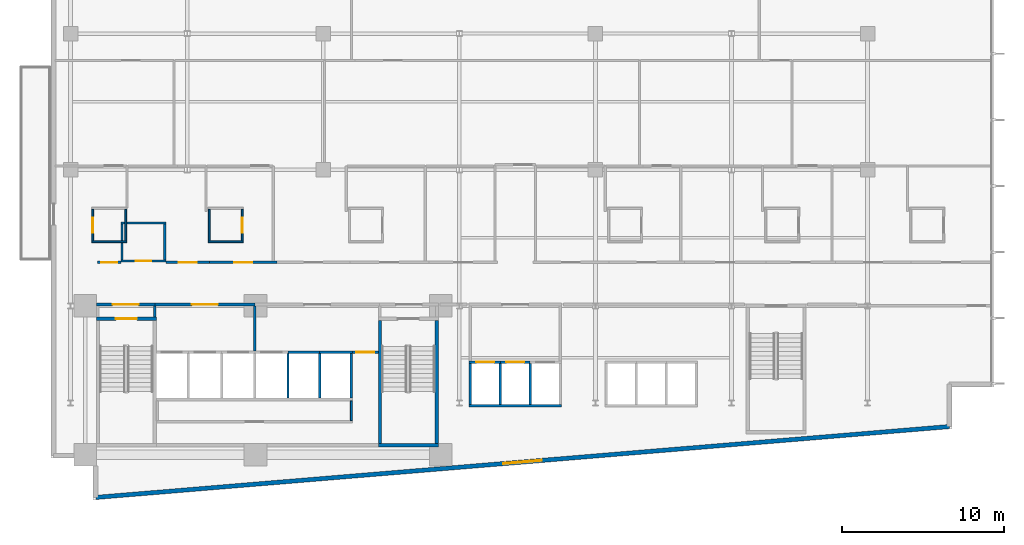
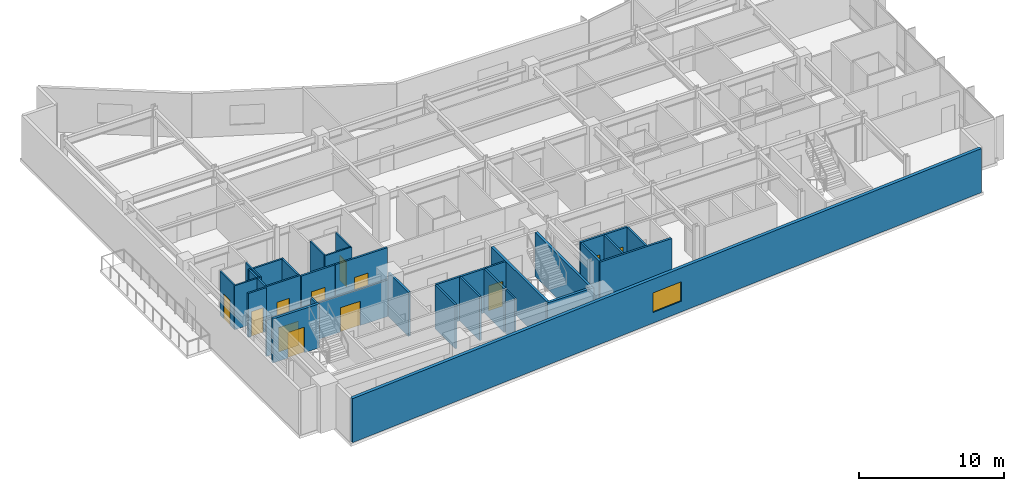
# One storey, part 12 of 20: 35 walls, 12 doors, 1 window, 13 openings.
"""IFC4 building model written with IfcOpenShell, lengths in metres."""

from ifc_helpers import new_model, si_unit, direction, frame, frame_2d, origin, place, context, subcontext, project, spatial, rectangle, extrude, material, layer, layer_set, type_object, element, fill, save


model = new_model("IFC4")

# Units and contexts
model_context = context("Model", 3, precision=1e-05, world=origin(), true_north=direction((0.0, 1.0)))
body_context = subcontext(model_context, "Body", "Model", "MODEL_VIEW")
ifc_project = project(units=[si_unit("LENGTHUNIT", "METRE"), si_unit("AREAUNIT", "SQUARE_METRE"), si_unit("VOLUMEUNIT", "CUBIC_METRE"), si_unit("PLANEANGLEUNIT", "RADIAN"), si_unit("MASSUNIT", "GRAM", prefix="KILO")], contexts=[model_context])

# Site, building, storey
site_placement = place(None, origin())
site = spatial("IfcSite", under=ifc_project, at=site_placement, CompositionType="ELEMENT")
building_placement = place(site_placement, origin())
building = spatial("IfcBuilding", under=site, at=building_placement, Name="Varnakote Quay Hospital", CompositionType="ELEMENT")
storey_placement = place(building_placement, frame((0.0, 0.0, 26.449951171875)))
storey = spatial("IfcBuildingStorey", under=building, at=storey_placement, Name="L06", CompositionType="ELEMENT", Elevation=26.449951171875)

# Wall, opening, door
ifc_material_1 = material(Name="Fire-rated acoustic gypsum stud wall", Category="gypsum")
ifc_layer_1 = layer(ifc_material_1, 0.159912109375)
ifc_layer_set_1 = layer_set([ifc_layer_1], Name="Fire-rated acoustic gypsum stud wall")
wall_type_1 = type_object("IfcWallType", Name="WL-COMP-160", PredefinedType="PARTITIONING", material=ifc_layer_set_1)
wall_1_placement = place(storey_placement, frame((2.800048828125, 12.080078125, 0.0), z_axis=(0.0, 0.0, 1.0), x_axis=(1.0, 0.0, 0.0)))
wall_1 = element("IfcWall", 1, at=wall_1_placement, inside=storey, type_object=wall_type_1, Name="L06 West Stair Vestibule Smoke Wall", PredefinedType="PARTITIONING", context=body_context, shape_type="SweptSolid", body=[
    extrude(rectangle(XDim=3.599853515625, YDim=0.159912109375, at=frame_2d((1.7998046875, 0.0))), origin(), (0.0, 0.0, 1.0), 3.072998046875),
])
opening_1_placement = place(wall_1_placement, frame((1.0, 0.0, 0.0)))
opening_1 = element("IfcOpeningElement", 2, at=opening_1_placement, cuts=wall_1, Name="Opening D-ST1L-L06", PredefinedType="OPENING", context=body_context, shape_type="SweptSolid", body=[
    extrude(rectangle(XDim=1.60009765625, YDim=2.050048828125, at=frame_2d((0.800048828125, 1.02490234375))), frame((0.0, 0.08984375, 0.0), z_axis=(0.0, -1.0, 0.0), x_axis=(1.0, 0.0, 0.0)), (0.0, 0.0, 1.0), 0.179931640625),
])
ifc_material_2 = material(Name="Fire-rated double smoke lobby door")
door_type_1 = type_object("IfcDoorType", Name="DR-LOBBY-FD60S-1600x2150", OperationType="NOTDEFINED", PredefinedType="DOOR", material=ifc_material_2)
door_1_placement = place(opening_1_placement, origin())
door_1 = element("IfcDoor", 3, at=door_1_placement, inside=storey, type_object=door_type_1, Name="L06 West Stair Vestibule Smoke Door", OperationType="DOUBLE_DOOR_SINGLE_SWING", OverallHeight=2.050048828125, OverallWidth=1.60009765625, PredefinedType="DOOR", context=body_context, shape_type="SweptSolid", body=[
    extrude(rectangle(XDim=1.60009765625, YDim=2.050048828125, at=frame_2d((0.800048828125, 1.02490234375))), frame((0.0, 0.02490234375, 0.0), z_axis=(0.0, -1.0, 0.0), x_axis=(1.0, 0.0, 0.0)), (0.0, 0.0, 1.0), 0.050048828125),
])
fill(opening_1, door_1)

# Wall
wall_2_placement = place(storey_placement, frame((6.39990234375, 11.300048828125, 0.0), z_axis=(0.0, 0.0, 1.0), x_axis=(0.0, 1.0, 0.0)))
element("IfcWall", 4, at=wall_2_placement, inside=storey, type_object=wall_type_1, Name="L06 Firefighting Lobby West Wall", PredefinedType="PARTITIONING", context=body_context, shape_type="SweptSolid", body=[
    extrude(rectangle(XDim=0.699951171875, YDim=0.159912109375, at=frame_2d((0.35009765625, 0.0))), origin(), (0.0, 0.0, 1.0), 3.7099609375),
])

# Wall, opening, door
wall_3_placement = place(storey_placement, frame((6.39990234375, 12.080078125, 0.0), z_axis=(0.0, 0.0, 1.0), x_axis=(1.0, 0.0, 0.0)))
wall_3 = element("IfcWall", 5, at=wall_3_placement, inside=storey, type_object=wall_type_1, Name="L06 Firefighting Lift Lobby Compartment Wall", PredefinedType="PARTITIONING", context=body_context, shape_type="SweptSolid", body=[
    extrude(rectangle(XDim=6.18017578125, YDim=0.159912109375, at=frame_2d((3.090087890625, 0.0))), origin(), (0.0, 0.0, 1.0), 3.072998046875),
])
opening_2_placement = place(wall_3_placement, frame((2.2900390625, 0.0, 0.0)))
opening_2 = element("IfcOpeningElement", 6, at=opening_2_placement, cuts=wall_3, Name="Opening D-FFL-L06", PredefinedType="OPENING", context=body_context, shape_type="SweptSolid", body=[
    extrude(rectangle(XDim=1.60009765625, YDim=2.050048828125, at=frame_2d((0.800048828125, 1.02490234375))), frame((0.0, 0.08984375, 0.0), z_axis=(0.0, -1.0, 0.0), x_axis=(1.0, 0.0, 0.0)), (0.0, 0.0, 1.0), 0.179931640625),
])
door_2_placement = place(opening_2_placement, origin())
door_2 = element("IfcDoor", 7, at=door_2_placement, inside=storey, type_object=door_type_1, Name="L06 Firefighting Smoke Vestibule Door", OperationType="DOUBLE_DOOR_SINGLE_SWING", OverallHeight=2.050048828125, OverallWidth=1.60009765625, PredefinedType="DOOR", context=body_context, shape_type="SweptSolid", body=[
    extrude(rectangle(XDim=1.60009765625, YDim=2.050048828125, at=frame_2d((0.800048828125, 1.02490234375))), frame((0.0, 0.02490234375, 0.0), z_axis=(0.0, -1.0, 0.0), x_axis=(1.0, 0.0, 0.0)), (0.0, 0.0, 1.0), 0.050048828125),
])
fill(opening_2, door_2)

# Walls
wall_4_placement = place(storey_placement, frame((12.580078125, 9.2099609375, 0.0), z_axis=(0.0, 0.0, 1.0), x_axis=(0.0, 1.0, 0.0)))
element("IfcWall", 8, at=wall_4_placement, inside=storey, type_object=wall_type_1, Name="L06 Firefighting to Service Lobby Wall", PredefinedType="PARTITIONING", context=body_context, shape_type="SweptSolid", body=[
    extrude(rectangle(XDim=2.7900390625, YDim=0.159912109375, at=frame_2d((1.39501953125, 0.0))), origin(), (0.0, 0.0, 1.0), 3.7099609375),
])
ifc_material_3 = material(Name="Moisture-resistant bathroom partition", Category="gypsum")
ifc_layer_2 = layer(ifc_material_3, 0.114990234375)
ifc_layer_set_2 = layer_set([ifc_layer_2], Name="Moisture-resistant bathroom partition")
wall_type_2 = type_object("IfcWallType", Name="WL-ENS-115", PredefinedType="PARTITIONING", material=ifc_layer_set_2)
wall_5_placement = place(storey_placement, frame((2.514892578125, 15.952392578125, 0.0), z_axis=(0.0, 0.0, 1.0), x_axis=(1.0, 0.0, 0.0)))
element("IfcWall", 9, at=wall_5_placement, inside=storey, type_object=wall_type_2, Name="L06 Inpatient En-Suite Bathroom 01 S Wall", PredefinedType="PARTITIONING", context=body_context, shape_type="SweptSolid", body=[
    extrude(rectangle(XDim=2.150146484375, YDim=0.114990234375, at=frame_2d((1.0751953125, 0.0))), origin(), (0.0, 0.0, 1.0), 3.7099609375),
])

# Wall, opening, door
wall_6_placement = place(storey_placement, frame((2.572509765625, 16.010009765625, 0.0), z_axis=(0.0, 0.0, 1.0), x_axis=(0.0, 1.0, 0.0)))
wall_6 = element("IfcWall", 10, at=wall_6_placement, inside=storey, type_object=wall_type_2, Name="L06 Inpatient En-Suite Bathroom 01 W Wall", PredefinedType="PARTITIONING", context=body_context, shape_type="SweptSolid", body=[
    extrude(rectangle(XDim=1.949951171875, YDim=0.114990234375, at=frame_2d((0.97509765625, 0.0))), origin(), (0.0, 0.0, 1.0), 3.7099609375),
])
opening_3_placement = place(wall_6_placement, frame((0.514892578125, 0.0, 0.0)))
opening_3 = element("IfcOpeningElement", 11, at=opening_3_placement, cuts=wall_6, Name="Opening D-L06-ENS01", PredefinedType="OPENING", context=body_context, shape_type="SweptSolid", body=[
    extrude(rectangle(XDim=0.919921875, YDim=2.10009765625, at=frame_2d((0.4599609375, 1.050048828125))), frame((0.0, 0.0673828125, 0.0), z_axis=(0.0, -1.0, 0.0), x_axis=(1.0, 0.0, 0.0)), (0.0, 0.0, 1.0), 0.135009765625),
])
ifc_material_4 = material(Name="Moisture-sealed en-suite bathroom door")
door_type_2 = type_object("IfcDoorType", Name="DR-ENS-920x2100", OperationType="NOTDEFINED", PredefinedType="DOOR", material=ifc_material_4)
door_3_placement = place(opening_3_placement, origin())
door_3 = element("IfcDoor", 12, at=door_3_placement, inside=storey, type_object=door_type_2, Name="L06 Inpatient En-Suite Bathroom 01 Door", OperationType="SINGLE_SWING_RIGHT", OverallHeight=2.10009765625, OverallWidth=0.919921875, PredefinedType="DOOR", context=body_context, shape_type="SweptSolid", body=[
    extrude(rectangle(XDim=0.919921875, YDim=2.10009765625, at=frame_2d((0.4599609375, 1.050048828125))), frame((0.0, 0.02490234375, 0.0), z_axis=(0.0, -1.0, 0.0), x_axis=(1.0, 0.0, 0.0)), (0.0, 0.0, 1.0), 0.050048828125),
])
fill(opening_3, door_3)

# Walls
wall_7_placement = place(storey_placement, frame((4.607421875, 16.010009765625, 0.0), z_axis=(0.0, 0.0, 1.0), x_axis=(0.0, 1.0, 0.0)))
element("IfcWall", 13, at=wall_7_placement, inside=storey, type_object=wall_type_2, Name="L06 Inpatient En-Suite Bathroom 01 E Wall", PredefinedType="PARTITIONING", context=body_context, shape_type="SweptSolid", body=[
    extrude(rectangle(XDim=1.949951171875, YDim=0.114990234375, at=frame_2d((0.97509765625, 0.0))), origin(), (0.0, 0.0, 1.0), 3.7099609375),
])
wall_8_placement = place(storey_placement, frame((9.705078125, 15.952392578125, 0.0), z_axis=(0.0, 0.0, 1.0), x_axis=(1.0, 0.0, 0.0)))
element("IfcWall", 14, at=wall_8_placement, inside=storey, type_object=wall_type_2, Name="L06 Inpatient En-Suite Bathroom 02 S Wall", PredefinedType="PARTITIONING", context=body_context, shape_type="SweptSolid", body=[
    extrude(rectangle(XDim=2.14990234375, YDim=0.114990234375, at=frame_2d((1.074951171875, 0.0))), origin(), (0.0, 0.0, 1.0), 3.7099609375),
])
wall_9_placement = place(storey_placement, frame((9.762451171875, 16.010009765625, 0.0), z_axis=(0.0, 0.0, 1.0), x_axis=(0.0, 1.0, 0.0)))
element("IfcWall", 15, at=wall_9_placement, inside=storey, type_object=wall_type_2, Name="L06 Inpatient En-Suite Bathroom 02 W Wall", PredefinedType="PARTITIONING", context=body_context, shape_type="SweptSolid", body=[
    extrude(rectangle(XDim=1.949951171875, YDim=0.114990234375, at=frame_2d((0.97509765625, 0.0))), origin(), (0.0, 0.0, 1.0), 3.7099609375),
])

# Wall, opening, door
wall_10_placement = place(storey_placement, frame((11.797607421875, 16.010009765625, 0.0), z_axis=(0.0, 0.0, 1.0), x_axis=(0.0, 1.0, 0.0)))
wall_10 = element("IfcWall", 16, at=wall_10_placement, inside=storey, type_object=wall_type_2, Name="L06 Inpatient En-Suite Bathroom 02 E Wall", PredefinedType="PARTITIONING", context=body_context, shape_type="SweptSolid", body=[
    extrude(rectangle(XDim=1.949951171875, YDim=0.114990234375, at=frame_2d((0.97509765625, 0.0))), origin(), (0.0, 0.0, 1.0), 3.7099609375),
])
opening_4_placement = place(wall_10_placement, frame((0.514892578125, 0.0, 0.0)))
opening_4 = element("IfcOpeningElement", 17, at=opening_4_placement, cuts=wall_10, Name="Opening D-L06-ENS02", PredefinedType="OPENING", context=body_context, shape_type="SweptSolid", body=[
    extrude(rectangle(XDim=0.919921875, YDim=2.10009765625, at=frame_2d((0.4599609375, 1.050048828125))), frame((0.0, 0.0673828125, 0.0), z_axis=(0.0, -1.0, 0.0), x_axis=(1.0, 0.0, 0.0)), (0.0, 0.0, 1.0), 0.135009765625),
])
door_4_placement = place(opening_4_placement, origin())
door_4 = element("IfcDoor", 18, at=door_4_placement, inside=storey, type_object=door_type_2, Name="L06 Inpatient En-Suite Bathroom 02 Door", OperationType="SINGLE_SWING_LEFT", OverallHeight=2.10009765625, OverallWidth=0.919921875, PredefinedType="DOOR", context=body_context, shape_type="SweptSolid", body=[
    extrude(rectangle(XDim=0.919921875, YDim=2.10009765625, at=frame_2d((0.4599609375, 1.050048828125))), frame((0.0, 0.02490234375, 0.0), z_axis=(0.0, -1.0, 0.0), x_axis=(1.0, 0.0, 0.0)), (0.0, 0.0, 1.0), 0.050048828125),
])
fill(opening_4, door_4)

# Wall, opening, window
ifc_material_5 = material(Name="Precast concrete N50 (f'c 50 MPa)", Category="concrete")
ifc_layer_3 = layer(ifc_material_5, 0.260009765625)
ifc_layer_set_3 = layer_set([ifc_layer_3], Name="Precast concrete N50 (f'c 50 MPa)")
wall_type_3 = type_object("IfcWallType", Name="WL-EXT-BRICK-260", PredefinedType="STANDARD", material=ifc_layer_set_3)
wall_11_placement = place(storey_placement, frame((2.760009765625, 0.173828125, 0.0), z_axis=(0.0, 0.0, 1.0), x_axis=(0.996571478456, 0.082736257641, 0.0)))
wall_11 = element("IfcWall", 19, at=wall_11_placement, inside=storey, type_object=wall_type_3, Name="L06 Brick-Faced Precast Exterior Wall", PredefinedType="STANDARD", context=body_context, shape_type="SweptSolid", body=[
    extrude(rectangle(XDim=52.861083984375, YDim=0.260009765625, at=frame_2d((26.4306640625, 0.0))), origin(), (0.0, 0.0, 1.0), 3.7099609375),
])
opening_5_placement = place(wall_11_placement, frame((25.230712890625, 0.0, 0.89990234375)))
opening_5 = element("IfcOpeningElement", 20, at=opening_5_placement, cuts=wall_11, Name="Opening WN-0038", PredefinedType="OPENING", context=body_context, shape_type="SweptSolid", body=[
    extrude(rectangle(XDim=2.39990234375, YDim=1.64990234375, at=frame_2d((1.199951171875, 0.824951171875))), frame((0.0, 0.139892578125, 0.0), z_axis=(0.0, -1.0, 0.0), x_axis=(1.0, 0.0, 0.0)), (0.0, 0.0, 1.0), 0.280029296875),
])
ifc_material_6 = material(Name="Double-glazed low-E solar glass", Category="glass")
window_type = type_object("IfcWindowType", Name="WIN-CLIN-2400x1650", PartitioningType="SINGLE_PANEL", PredefinedType="WINDOW", material=ifc_material_6)
window_placement = place(opening_5_placement, origin())
window = element("IfcWindow", 21, at=window_placement, inside=storey, type_object=window_type, Name="L06 Solar-Control Clinical Window", OverallHeight=1.64990234375, OverallWidth=2.39990234375, PartitioningType="SINGLE_PANEL", PredefinedType="WINDOW", context=body_context, shape_type="SweptSolid", body=[
    extrude(rectangle(XDim=2.39990234375, YDim=1.64990234375, at=frame_2d((1.199951171875, 0.824951171875))), frame((0.0, 0.030029296875, 0.0), z_axis=(0.0, -1.0, 0.0), x_axis=(1.0, 0.0, 0.0)), (0.0, 0.0, 1.0), 0.06005859375),
])
fill(opening_5, window)

# Walls
ifc_material_7 = material(Name="Concrete N50 (f'c 50 MPa)", Category="concrete")
ifc_layer_4 = layer(ifc_material_7, 0.14990234375)
ifc_layer_set_4 = layer_set([ifc_layer_4], Name="Concrete N50 (f'c 50 MPa)")
wall_type_4 = type_object("IfcWallType", Name="WL-SHAFT-N50-150", PredefinedType="SHEAR", material=ifc_layer_set_4)
for number, where, z_axis, x_axis, name in (
    (22, (14.625, 6.300048828125, 0.0), (0.0, 0.0, 1.0), (0.0, 1.0, 0.0), "L06 LF-SV2 Hoistway Divider Wall"),
    (23, (16.574951171875, 6.300048828125, 0.0), (0.0, 0.0, 1.0), (0.0, 1.0, 0.0), "L06 LF-PH1 Hoistway Divider Wall"),
):
    element("IfcWall", number, at=place(storey_placement, frame(where, z_axis=z_axis, x_axis=x_axis)), inside=storey, type_object=wall_type_4, Name=name, PredefinedType="SHEAR", context=body_context, shape_type="SweptSolid", body=[
        extrude(rectangle(XDim=2.75, YDim=0.14990234375, at=frame_2d((1.375, 0.0))), origin(), (0.0, 0.0, 1.0), 3.7099609375),
    ])
for number, where, z_axis, x_axis, name in (
    (24, (27.72509765625, 5.89990234375, 0.0), (0.0, 0.0, 1.0), (0.0, 1.0, 0.0), "L06 LF-PL1 Hoistway Divider Wall"),
    (25, (29.574951171875, 5.89990234375, 0.0), (0.0, 0.0, 1.0), (0.0, 1.0, 0.0), "L06 LF-PL2 Hoistway Divider Wall"),
):
    element("IfcWall", number, at=place(storey_placement, frame(where, z_axis=z_axis, x_axis=x_axis)), inside=storey, type_object=wall_type_4, Name=name, PredefinedType="SHEAR", context=body_context, shape_type="SweptSolid", body=[
        extrude(rectangle(XDim=2.550048828125, YDim=0.14990234375, at=frame_2d((1.27490234375, 0.0))), origin(), (0.0, 0.0, 1.0), 3.7099609375),
    ])
ifc_material_8 = material(Name="Concrete N50 (f'c 50 MPa)", Category="concrete")
ifc_layer_5 = layer(ifc_material_8, 0.159912109375)
ifc_layer_set_5 = layer_set([ifc_layer_5], Name="Concrete N50 (f'c 50 MPa)")
wall_type_5 = type_object("IfcWallType", Name="WL-SHAFT-N50-160", PredefinedType="SHEAR", material=ifc_layer_set_5)
wall_12_placement = place(storey_placement, frame((18.530029296875, 6.300048828125, 0.0), z_axis=(0.0, 0.0, 1.0), x_axis=(0.0, 1.0, 0.0)))
element("IfcWall", 26, at=wall_12_placement, inside=storey, type_object=wall_type_5, Name="L06 REAR Lift Bank East Shear Wall", PredefinedType="SHEAR", context=body_context, shape_type="SweptSolid", body=[
    extrude(rectangle(XDim=2.75, YDim=0.159912109375, at=frame_2d((1.375, 0.0))), origin(), (0.0, 0.0, 1.0), 3.7099609375),
])
wall_13_placement = place(storey_placement, frame((14.625, 9.1298828125, 0.0), z_axis=(0.0, 0.0, 1.0), x_axis=(1.0, 0.0, 0.0)))
element("IfcWall", 27, at=wall_13_placement, inside=storey, type_object=wall_type_5, Name="L06 LF-PH1 Hoistway Front Wall", PredefinedType="SHEAR", context=body_context, shape_type="SweptSolid", body=[
    extrude(rectangle(XDim=1.949951171875, YDim=0.159912109375, at=frame_2d((0.97509765625, 0.0))), origin(), (0.0, 0.0, 1.0), 3.7099609375),
])
wall_14_placement = place(storey_placement, frame((16.574951171875, 9.1298828125, 0.0), z_axis=(0.0, 0.0, 1.0), x_axis=(1.0, 0.0, 0.0)))
element("IfcWall", 28, at=wall_14_placement, inside=storey, type_object=wall_type_5, Name="L06 LF-PH2 Hoistway Front Wall", PredefinedType="SHEAR", context=body_context, shape_type="SweptSolid", body=[
    extrude(rectangle(XDim=2.03515625, YDim=0.159912109375, at=frame_2d((1.017578125, 0.0))), origin(), (0.0, 0.0, 1.0), 3.7099609375),
])
wall_15_placement = place(storey_placement, frame((25.7900390625, 5.820068359375, 0.0), z_axis=(0.0, 0.0, 1.0), x_axis=(1.0, 0.0, 0.0)))
element("IfcWall", 29, at=wall_15_placement, inside=storey, type_object=wall_type_5, Name="L06 LOW Lift Bank Back Shear Wall", PredefinedType="SHEAR", context=body_context, shape_type="SweptSolid", body=[
    extrude(rectangle(XDim=5.719970703125, YDim=0.159912109375, at=frame_2d((2.85986328125, 0.0))), origin(), (0.0, 0.0, 1.0), 3.7099609375),
])
wall_16_placement = place(storey_placement, frame((25.8701171875, 5.89990234375, 0.0), z_axis=(0.0, 0.0, 1.0), x_axis=(0.0, 1.0, 0.0)))
element("IfcWall", 30, at=wall_16_placement, inside=storey, type_object=wall_type_5, Name="L06 LOW Lift Bank West Shear Wall", PredefinedType="SHEAR", context=body_context, shape_type="SweptSolid", body=[
    extrude(rectangle(XDim=2.550048828125, YDim=0.159912109375, at=frame_2d((1.27490234375, 0.0))), origin(), (0.0, 0.0, 1.0), 3.7099609375),
])

# Wall, opening, door
wall_17_placement = place(storey_placement, frame((25.7900390625, 8.530029296875, 0.0), z_axis=(0.0, 0.0, 1.0), x_axis=(1.0, 0.0, 0.0)))
wall_17 = element("IfcWall", 31, at=wall_17_placement, inside=storey, type_object=wall_type_5, Name="L06 LF-PL1 Hoistway Front Wall", PredefinedType="SHEAR", context=body_context, shape_type="SweptSolid", body=[
    extrude(rectangle(XDim=1.93505859375, YDim=0.159912109375, at=frame_2d((0.967529296875, 0.0))), origin(), (0.0, 0.0, 1.0), 3.7099609375),
])
opening_6_placement = place(wall_17_placement, frame((0.4599609375, 0.0, 0.0)))
opening_6 = element("IfcOpeningElement", 32, at=opening_6_placement, cuts=wall_17, Name="Opening LD-PL1-L06", PredefinedType="OPENING", context=body_context, shape_type="SweptSolid", body=[
    extrude(rectangle(XDim=1.10009765625, YDim=2.14990234375, at=frame_2d((0.550048828125, 1.074951171875))), frame((0.0, 0.08984375, 0.0), z_axis=(0.0, -1.0, 0.0), x_axis=(1.0, 0.0, 0.0)), (0.0, 0.0, 1.0), 0.179931640625),
])
ifc_material_9 = material(Name="Brushed bronze lift landing sliding door")
door_type_3 = type_object("IfcDoorType", Name="DR-LIFT-LD-1100x2150", OperationType="NOTDEFINED", PredefinedType="DOOR", material=ifc_material_9)
door_5_placement = place(opening_6_placement, origin())
door_5 = element("IfcDoor", 33, at=door_5_placement, inside=storey, type_object=door_type_3, Name="L06 LF-PL1 Lift Landing Sliding Door", OperationType="SLIDING_TO_LEFT", OverallHeight=2.14990234375, OverallWidth=1.10009765625, PredefinedType="DOOR", context=body_context, shape_type="SweptSolid", body=[
    extrude(rectangle(XDim=1.10009765625, YDim=2.14990234375, at=frame_2d((0.550048828125, 1.074951171875))), frame((0.0, 0.02490234375, 0.0), z_axis=(0.0, -1.0, 0.0), x_axis=(1.0, 0.0, 0.0)), (0.0, 0.0, 1.0), 0.050048828125),
])
fill(opening_6, door_5)

wall_18_placement = place(storey_placement, frame((27.72509765625, 8.530029296875, 0.0), z_axis=(0.0, 0.0, 1.0), x_axis=(1.0, 0.0, 0.0)))
wall_18 = element("IfcWall", 34, at=wall_18_placement, inside=storey, type_object=wall_type_5, Name="L06 LF-PL2 Hoistway Front Wall", PredefinedType="SHEAR", context=body_context, shape_type="SweptSolid", body=[
    extrude(rectangle(XDim=1.849853515625, YDim=0.159912109375, at=frame_2d((0.9248046875, 0.0))), origin(), (0.0, 0.0, 1.0), 3.7099609375),
])
opening_7_placement = place(wall_18_placement, frame((0.375, 0.0, 0.0)))
opening_7 = element("IfcOpeningElement", 35, at=opening_7_placement, cuts=wall_18, Name="Opening LD-PL2-L06", PredefinedType="OPENING", context=body_context, shape_type="SweptSolid", body=[
    extrude(rectangle(XDim=1.10009765625, YDim=2.14990234375, at=frame_2d((0.550048828125, 1.074951171875))), frame((0.0, 0.08984375, 0.0), z_axis=(0.0, -1.0, 0.0), x_axis=(1.0, 0.0, 0.0)), (0.0, 0.0, 1.0), 0.179931640625),
])
door_6_placement = place(opening_7_placement, origin())
door_6 = element("IfcDoor", 36, at=door_6_placement, inside=storey, type_object=door_type_3, Name="L06 LF-PL2 Lift Landing Sliding Door", OperationType="SLIDING_TO_LEFT", OverallHeight=2.14990234375, OverallWidth=1.10009765625, PredefinedType="DOOR", context=body_context, shape_type="SweptSolid", body=[
    extrude(rectangle(XDim=1.10009765625, YDim=2.14990234375, at=frame_2d((0.550048828125, 1.074951171875))), frame((0.0, 0.02490234375, 0.0), z_axis=(0.0, -1.0, 0.0), x_axis=(1.0, 0.0, 0.0)), (0.0, 0.0, 1.0), 0.050048828125),
])
fill(opening_7, door_6)

ifc_material_10 = material(Name="Concrete N50 (f'c 50 MPa)", Category="concrete")
ifc_layer_6 = layer(ifc_material_10, 0.199951171875)
ifc_layer_set_6 = layer_set([ifc_layer_6], Name="Concrete N50 (f'c 50 MPa)")
wall_type_6 = type_object("IfcWallType", Name="WL-SHAFT-N50-200", PredefinedType="SHEAR", material=ifc_layer_set_6)
wall_19_placement = place(storey_placement, frame((2.800048828125, 11.199951171875, 0.0), z_axis=(0.0, 0.0, 1.0), x_axis=(1.0, 0.0, 0.0)))
wall_19 = element("IfcWall", 37, at=wall_19_placement, inside=storey, type_object=wall_type_6, Name="L06 Stair ST1 Exit Wall", PredefinedType="SHEAR", context=body_context, shape_type="SweptSolid", body=[
    extrude(rectangle(XDim=3.699951171875, YDim=0.199951171875, at=frame_2d((1.85009765625, 0.0))), origin(), (0.0, 0.0, 1.0), 3.7099609375),
])
opening_8_placement = place(wall_19_placement, frame((1.199951171875, 0.0, 0.0)))
opening_8 = element("IfcOpeningElement", 38, at=opening_8_placement, cuts=wall_19, Name="Opening D-ST1-L06", PredefinedType="OPENING", context=body_context, shape_type="SweptSolid", body=[
    extrude(rectangle(XDim=1.300048828125, YDim=2.14990234375, at=frame_2d((0.64990234375, 1.074951171875))), frame((0.0, 0.10986328125, 0.0), z_axis=(0.0, -1.0, 0.0), x_axis=(1.0, 0.0, 0.0)), (0.0, 0.0, 1.0), 0.219970703125),
])
ifc_material_11 = material(Name="Fire-rated ceramic-glazed timber exit door", Category="wood")
door_type_4 = type_object("IfcDoorType", Name="DR-STAIR-FD60S-1300x2150", OperationType="NOTDEFINED", PredefinedType="DOOR", material=ifc_material_11)
door_7_placement = place(opening_8_placement, origin())
door_7 = element("IfcDoor", 39, at=door_7_placement, inside=storey, type_object=door_type_4, Name="L06 Stair ST1 Fire Exit Door", OperationType="SINGLE_SWING_RIGHT", OverallHeight=2.14990234375, OverallWidth=1.300048828125, PredefinedType="DOOR", context=body_context, shape_type="SweptSolid", body=[
    extrude(rectangle(XDim=1.300048828125, YDim=2.14990234375, at=frame_2d((0.64990234375, 1.074951171875))), frame((0.0, 0.02490234375, 0.0), z_axis=(0.0, -1.0, 0.0), x_axis=(1.0, 0.0, 0.0)), (0.0, 0.0, 1.0), 0.050048828125),
])
fill(opening_8, door_7)

# Walls
wall_20_placement = place(storey_placement, frame((20.199951171875, 3.39990234375, 0.0), z_axis=(0.0, 0.0, 1.0), x_axis=(1.0, 0.0, 0.0)))
element("IfcWall", 40, at=wall_20_placement, inside=storey, type_object=wall_type_6, Name="L06 Stair ST2 South Shaft Wall", PredefinedType="SHEAR", context=body_context, shape_type="SweptSolid", body=[
    extrude(rectangle(XDim=3.699951171875, YDim=0.199951171875, at=frame_2d((1.85009765625, 0.0))), origin(), (0.0, 0.0, 1.0), 3.7099609375),
])
for number, where, z_axis, x_axis, name in (
    (41, (20.300048828125, 3.5, 0.0), (0.0, 0.0, 1.0), (0.0, 1.0, 0.0), "L06 Stair ST2 West Shaft Wall"),
    (42, (23.800048828125, 3.5, 0.0), (0.0, 0.0, 1.0), (0.0, 1.0, 0.0), "L06 Stair ST2 East Shaft Wall"),
):
    element("IfcWall", number, at=place(storey_placement, frame(where, z_axis=z_axis, x_axis=x_axis)), inside=storey, type_object=wall_type_6, Name=name, PredefinedType="SHEAR", context=body_context, shape_type="SweptSolid", body=[
        extrude(rectangle(XDim=7.60009765625, YDim=0.199951171875, at=frame_2d((3.800048828125, 0.0))), origin(), (0.0, 0.0, 1.0), 3.7099609375),
    ])
ifc_material_12 = material(Name="Smoke-proof clinical partition", Category="gypsum")
ifc_layer_7 = layer(ifc_material_12, 0.1201171875)
ifc_layer_set_7 = layer_set([ifc_layer_7], Name="Smoke-proof clinical partition")
wall_type_7 = type_object("IfcWallType", Name="WL-SMOKE-120", PredefinedType="PARTITIONING", material=ifc_layer_set_7)
wall_21_placement = place(storey_placement, frame((18.5400390625, 4.919921875, 0.0), z_axis=(0.0, 0.0, 1.0), x_axis=(0.0, 1.0, 0.0)))
element("IfcWall", 43, at=wall_21_placement, inside=storey, type_object=wall_type_7, Name="L06 Core Service Strip East Wall", PredefinedType="PARTITIONING", context=body_context, shape_type="SweptSolid", body=[
    extrude(rectangle(XDim=1.219970703125, YDim=0.1201171875, at=frame_2d((0.60986328125, 0.0))), origin(), (0.0, 0.0, 1.0), 3.7099609375),
])

# Wall, opening, door
ifc_material_13 = material(Name="Fire-rated clinical gypsum partition", Category="gypsum")
ifc_layer_8 = layer(ifc_material_13, 0.139892578125)
ifc_layer_set_8 = layer_set([ifc_layer_8], Name="Fire-rated clinical gypsum partition")
wall_type_8 = type_object("IfcWallType", Name="WL-WARD-140", PredefinedType="PARTITIONING", material=ifc_layer_set_8)
wall_22_placement = place(storey_placement, frame((18.610107421875, 9.1298828125, 0.0), z_axis=(0.0, 0.0, 1.0), x_axis=(1.0, 0.0, 0.0)))
wall_22 = element("IfcWall", 44, at=wall_22_placement, inside=storey, type_object=wall_type_8, Name="L06 Core Service Corridor North Door Wall", PredefinedType="PARTITIONING", context=body_context, shape_type="SweptSolid", body=[
    extrude(rectangle(XDim=1.58984375, YDim=0.139892578125, at=frame_2d((0.794921875, 0.0))), origin(), (0.0, 0.0, 1.0), 3.7099609375),
])
opening_9_placement = place(wall_22_placement, frame((0.239990234375, 0.0, 0.0)))
opening_9 = element("IfcOpeningElement", 45, at=opening_9_placement, cuts=wall_22, Name="Opening D-CSRV-L06", PredefinedType="OPENING", context=body_context, shape_type="SweptSolid", body=[
    extrude(rectangle(XDim=1.10009765625, YDim=2.10009765625, at=frame_2d((0.550048828125, 1.050048828125))), frame((0.0, 0.079833984375, 0.0), z_axis=(0.0, -1.0, 0.0), x_axis=(1.0, 0.0, 0.0)), (0.0, 0.0, 1.0), 0.159912109375),
])
ifc_material_14 = material(Name="Acoustic timber clinical consult door", Category="wood")
door_type_5 = type_object("IfcDoorType", Name="DR-CLIN-FD30S-1100x2100", OperationType="NOTDEFINED", PredefinedType="DOOR", material=ifc_material_14)
door_8_placement = place(opening_9_placement, origin())
door_8 = element("IfcDoor", 46, at=door_8_placement, inside=storey, type_object=door_type_5, Name="L06 Core Service Corridor Door", OperationType="SINGLE_SWING_RIGHT", OverallHeight=2.10009765625, OverallWidth=1.10009765625, PredefinedType="DOOR", context=body_context, shape_type="SweptSolid", body=[
    extrude(rectangle(XDim=1.10009765625, YDim=2.10009765625, at=frame_2d((0.550048828125, 1.050048828125))), frame((0.0, 0.02490234375, 0.0), z_axis=(0.0, -1.0, 0.0), x_axis=(1.0, 0.0, 0.0)), (0.0, 0.0, 1.0), 0.050048828125),
])
fill(opening_9, door_8)

wall_23_placement = place(storey_placement, frame((4.31005859375, 14.77001953125, 0.0), z_axis=(0.0, 0.0, 1.0), x_axis=(1.0, 0.0, 0.0)))
wall_23 = element("IfcWall", 47, at=wall_23_placement, inside=storey, type_object=wall_type_8, Name="L06 Floor Unisex Accessible WC S Wall", PredefinedType="PARTITIONING", context=body_context, shape_type="SweptSolid", body=[
    extrude(rectangle(XDim=2.780029296875, YDim=0.139892578125, at=frame_2d((1.39013671875, 0.0))), origin(), (0.0, 0.0, 1.0), 3.7099609375),
])
opening_10_placement = place(wall_23_placement, frame((0.89990234375, 0.0, 0.0)))
opening_10 = element("IfcOpeningElement", 48, at=opening_10_placement, cuts=wall_23, Name="Opening D-L06-EW01", PredefinedType="OPENING", context=body_context, shape_type="SweptSolid", body=[
    extrude(rectangle(XDim=0.97998046875, YDim=2.10009765625, at=frame_2d((0.489990234375, 1.050048828125))), frame((0.0, 0.079833984375, 0.0), z_axis=(0.0, -1.0, 0.0), x_axis=(1.0, 0.0, 0.0)), (0.0, 0.0, 1.0), 0.159912109375),
])
ifc_material_15 = material(Name="Accessible sanitary compartment door")
door_type_6 = type_object("IfcDoorType", Name="DR-WC-980x2100", OperationType="NOTDEFINED", PredefinedType="DOOR", material=ifc_material_15)
door_9_placement = place(opening_10_placement, origin())
door_9 = element("IfcDoor", 49, at=door_9_placement, inside=storey, type_object=door_type_6, Name="L06 Floor Unisex Accessible WC Door", OperationType="SINGLE_SWING_LEFT", OverallHeight=2.10009765625, OverallWidth=0.97998046875, PredefinedType="DOOR", context=body_context, shape_type="SweptSolid", body=[
    extrude(rectangle(XDim=0.97998046875, YDim=2.10009765625, at=frame_2d((0.489990234375, 1.050048828125))), frame((0.0, 0.02490234375, 0.0), z_axis=(0.0, -1.0, 0.0), x_axis=(1.0, 0.0, 0.0)), (0.0, 0.0, 1.0), 0.050048828125),
])
fill(opening_10, door_9)

# Walls
wall_24_placement = place(storey_placement, frame((4.31005859375, 17.110107421875, 0.0), z_axis=(0.0, 0.0, 1.0), x_axis=(1.0, 0.0, 0.0)))
element("IfcWall", 50, at=wall_24_placement, inside=storey, type_object=wall_type_8, Name="L06 Floor Unisex Accessible WC N Wall", PredefinedType="PARTITIONING", context=body_context, shape_type="SweptSolid", body=[
    extrude(rectangle(XDim=2.780029296875, YDim=0.139892578125, at=frame_2d((1.39013671875, 0.0))), origin(), (0.0, 0.0, 1.0), 3.7099609375),
])
for number, where, z_axis, x_axis, name in (
    (51, (4.3798828125, 14.840087890625, 0.0), (0.0, 0.0, 1.0), (0.0, 1.0, 0.0), "L06 Floor Unisex Accessible WC W Wall"),
    (52, (7.02001953125, 14.840087890625, 0.0), (0.0, 0.0, 1.0), (0.0, 1.0, 0.0), "L06 Floor Unisex Accessible WC E Wall"),
):
    element("IfcWall", number, at=place(storey_placement, frame(where, z_axis=z_axis, x_axis=x_axis)), inside=storey, type_object=wall_type_8, Name=name, PredefinedType="PARTITIONING", context=body_context, shape_type="SweptSolid", body=[
        extrude(rectangle(XDim=2.199951171875, YDim=0.139892578125, at=frame_2d((1.10009765625, 0.0))), origin(), (0.0, 0.0, 1.0), 3.7099609375),
    ])

# Wall, opening, door
ifc_material_16 = material(Name="Fire-rated clinical gypsum partition", Category="gypsum")
ifc_layer_9 = layer(ifc_material_16, 0.14990234375)
ifc_layer_set_9 = layer_set([ifc_layer_9], Name="Fire-rated clinical gypsum partition")
wall_type_9 = type_object("IfcWallType", Name="WL-WARD-150", PredefinedType="PARTITIONING", material=ifc_layer_set_9)
wall_25_placement = place(storey_placement, frame((4.30810546875, 14.679931640625, 0.0), z_axis=(0.0, 0.0, 1.0), x_axis=(-1.0, 0.0, 0.0)))
wall_25 = element("IfcWall", 53, at=wall_25_placement, inside=storey, type_object=wall_type_9, Name="L06 Clinical Interior Partition", PredefinedType="PARTITIONING", context=body_context, shape_type="SweptSolid", body=[
    extrude(rectangle(XDim=1.4580078125, YDim=0.14990234375, at=frame_2d((0.72900390625, 0.0))), origin(), (0.0, 0.0, 1.0), 3.7099609375),
])
opening_11_placement = place(wall_25_placement, frame((0.239013671875, 0.0, 0.0)))
opening_11 = element("IfcOpeningElement", 54, at=opening_11_placement, cuts=wall_25, Name="Opening D-L06-BR01", PredefinedType="OPENING", context=body_context, shape_type="SweptSolid", body=[
    extrude(rectangle(XDim=0.97998046875, YDim=2.10009765625, at=frame_2d((0.489990234375, 1.050048828125))), frame((0.0, 0.0849609375, 0.0), z_axis=(0.0, -1.0, 0.0), x_axis=(1.0, 0.0, 0.0)), (0.0, 0.0, 1.0), 0.169921875),
])
door_10_placement = place(opening_11_placement, origin())
door_10 = element("IfcDoor", 55, at=door_10_placement, inside=storey, type_object=door_type_6, Name="L06 Inpatient Clinical Treatment Room 01 Door", OperationType="SINGLE_SWING_LEFT", OverallHeight=2.10009765625, OverallWidth=0.97998046875, PredefinedType="DOOR", context=body_context, shape_type="SweptSolid", body=[
    extrude(rectangle(XDim=0.97998046875, YDim=2.10009765625, at=frame_2d((0.489990234375, 1.050048828125))), frame((0.0, 0.02490234375, 0.0), z_axis=(0.0, -1.0, 0.0), x_axis=(1.0, 0.0, 0.0)), (0.0, 0.0, 1.0), 0.050048828125),
])
fill(opening_11, door_10)

wall_26_placement = place(storey_placement, frame((9.785888671875, 14.679931640625, 0.0), z_axis=(0.0, 0.0, 1.0), x_axis=(-1.0, 0.0, 0.0)))
wall_26 = element("IfcWall", 56, at=wall_26_placement, inside=storey, type_object=wall_type_9, Name="L06 Clinical Interior Partition", PredefinedType="PARTITIONING", context=body_context, shape_type="SweptSolid", body=[
    extrude(rectangle(XDim=2.69384765625, YDim=0.14990234375, at=frame_2d((1.346923828125, 0.0))), origin(), (0.0, 0.0, 1.0), 3.7099609375),
])
opening_12_placement = place(wall_26_placement, frame((0.797119140625, 0.0, 0.0)))
opening_12 = element("IfcOpeningElement", 57, at=opening_12_placement, cuts=wall_26, Name="Opening D-L06-MD01", PredefinedType="OPENING", context=body_context, shape_type="SweptSolid", body=[
    extrude(rectangle(XDim=1.10009765625, YDim=2.10009765625, at=frame_2d((0.550048828125, 1.050048828125))), frame((0.0, 0.0849609375, 0.0), z_axis=(0.0, -1.0, 0.0), x_axis=(1.0, 0.0, 0.0)), (0.0, 0.0, 1.0), 0.169921875),
])
door_11_placement = place(opening_12_placement, origin())
door_11 = element("IfcDoor", 58, at=door_11_placement, inside=storey, type_object=door_type_5, Name="L06 Clinical Diagnostics Seminar Room Door", OperationType="SINGLE_SWING_RIGHT", OverallHeight=2.10009765625, OverallWidth=1.10009765625, PredefinedType="DOOR", context=body_context, shape_type="SweptSolid", body=[
    extrude(rectangle(XDim=1.10009765625, YDim=2.10009765625, at=frame_2d((0.550048828125, 1.050048828125))), frame((0.0, 0.02490234375, 0.0), z_axis=(0.0, -1.0, 0.0), x_axis=(1.0, 0.0, 0.0)), (0.0, 0.0, 1.0), 0.050048828125),
])
fill(opening_12, door_11)

wall_27_placement = place(storey_placement, frame((13.93603515625, 14.679931640625, 0.0), z_axis=(0.0, 0.0, 1.0), x_axis=(-1.0, 0.0, 0.0)))
wall_27 = element("IfcWall", 59, at=wall_27_placement, inside=storey, type_object=wall_type_9, Name="L06 Clinical Interior Partition", PredefinedType="PARTITIONING", context=body_context, shape_type="SweptSolid", body=[
    extrude(rectangle(XDim=4.14794921875, YDim=0.14990234375, at=frame_2d((2.073974609375, 0.0))), origin(), (0.0, 0.0, 1.0), 3.7099609375),
])
opening_13_placement = place(wall_27_placement, frame((1.52392578125, 0.0, 0.0)))
opening_13 = element("IfcOpeningElement", 60, at=opening_13_placement, cuts=wall_27, Name="Opening D-L06-BR02", PredefinedType="OPENING", context=body_context, shape_type="SweptSolid", body=[
    extrude(rectangle(XDim=1.10009765625, YDim=2.10009765625, at=frame_2d((0.550048828125, 1.050048828125))), frame((0.0, 0.0849609375, 0.0), z_axis=(0.0, -1.0, 0.0), x_axis=(1.0, 0.0, 0.0)), (0.0, 0.0, 1.0), 0.169921875),
])
door_12_placement = place(opening_13_placement, origin())
door_12 = element("IfcDoor", 61, at=door_12_placement, inside=storey, type_object=door_type_5, Name="L06 Inpatient Clinical Treatment Room 02 Door", OperationType="SINGLE_SWING_LEFT", OverallHeight=2.10009765625, OverallWidth=1.10009765625, PredefinedType="DOOR", context=body_context, shape_type="SweptSolid", body=[
    extrude(rectangle(XDim=1.10009765625, YDim=2.10009765625, at=frame_2d((0.550048828125, 1.050048828125))), frame((0.0, 0.02490234375, 0.0), z_axis=(0.0, -1.0, 0.0), x_axis=(1.0, 0.0, 0.0)), (0.0, 0.0, 1.0), 0.050048828125),
])
fill(opening_13, door_12)

save(model, "model.ifc")
